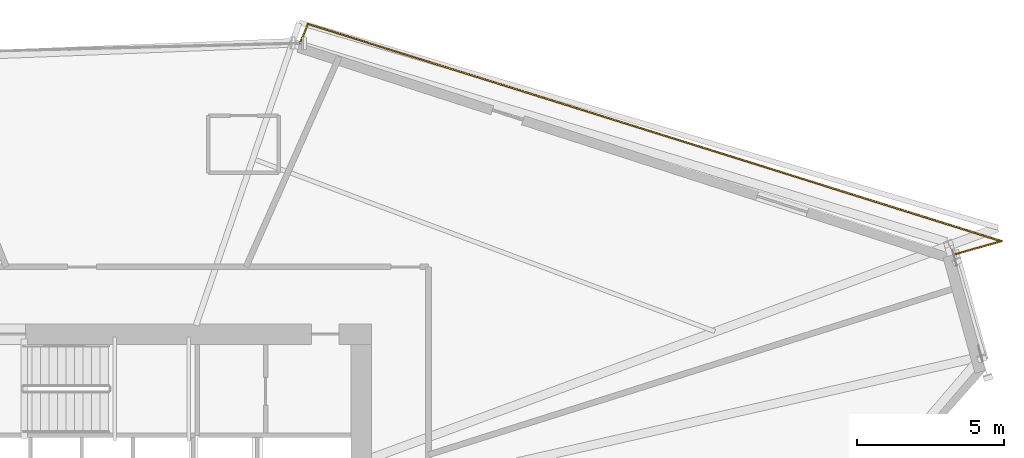
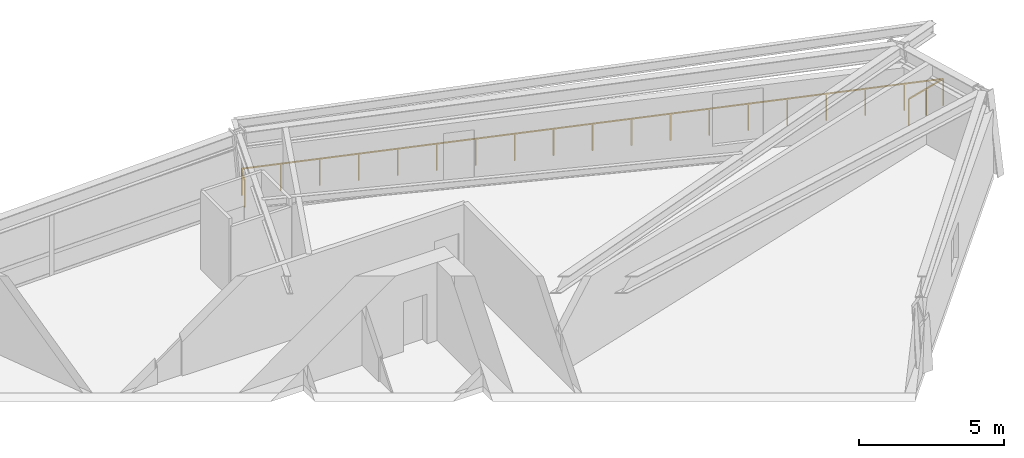
# One storey, part 20 of 20: 1 railing.
"""IFC4 building model written with IfcOpenShell, lengths in metres."""

from ifc_helpers import new_model, si_unit, direction, frame, origin, origin_2d, place, context, subcontext, project, spatial, rectangle, extrude, material, type_object, element, save


model = new_model("IFC4")

# Units and contexts
model_context = context("Model", 3, precision=1e-05, world=origin(), true_north=direction((0.0, 1.0)))
body_context = subcontext(model_context, "Body", "Model", "MODEL_VIEW")
ifc_project = project(units=[si_unit("LENGTHUNIT", "METRE"), si_unit("AREAUNIT", "SQUARE_METRE"), si_unit("VOLUMEUNIT", "CUBIC_METRE"), si_unit("PLANEANGLEUNIT", "RADIAN"), si_unit("MASSUNIT", "GRAM", prefix="KILO")], contexts=[model_context])

# Site, building, storey
site_placement = place(None, origin())
site = spatial("IfcSite", under=ifc_project, at=site_placement, CompositionType="ELEMENT")
building_placement = place(site_placement, origin())
building = spatial("IfcBuilding", under=site, at=building_placement, Name="Olszyna Solenne Hotel", CompositionType="ELEMENT")
storey_placement = place(building_placement, frame((0.0, 0.0, 98.60009765625)))
storey = spatial("IfcBuildingStorey", under=building, at=storey_placement, Name="L25", CompositionType="ELEMENT", Elevation=98.60009765625)

# Railing
ifc_material = material(Name="Anodised bronze aluminium", Category="aluminium")
railing_type = type_object("IfcRailingType", Name="GR-110", PredefinedType="BALUSTRADE", material=ifc_material)
railing_placement = place(storey_placement, frame((66.4697265625, 36.763916015625, 0.0)))
element("IfcRailing", 1, at=railing_placement, inside=storey, type_object=railing_type, Name="Loggia balcony balustrade guard GR-L25-LG1", PredefinedType="BALUSTRADE", context=body_context, shape_type="SweptSolid", body=[
    extrude(rectangle(XDim=0.048095703125, YDim=0.048095703125, at=origin_2d()), frame((0.0, 0.0, 1.1259765625), z_axis=(0.962583921803, 0.270983751333, 0.0), x_axis=(-0.270983751333, 0.962583921803, 0.0)), (0.0, 0.0, 1.0), 1.69189453125),
    extrude(rectangle(XDim=0.048095703125, YDim=0.048095703125, at=origin_2d()), frame((1.628662109375, 0.45849609375, 1.1259765625), z_axis=(-0.954278321848, 0.298919528388, 0.0), x_axis=(-0.298919528388, -0.954278321848, 0.0)), (0.0, 0.0, 1.0), 24.800537109375),
    extrude(rectangle(XDim=0.048095703125, YDim=0.048095703125, at=origin_2d()), frame((-22.037841796875, 7.871826171875, 1.1259765625), z_axis=(-0.383466313223, -0.923554863894, 0.0), x_axis=(0.923554863894, -0.383466313223, 0.0)), (0.0, 0.0, 1.0), 0.709228515625),
    extrude(rectangle(XDim=0.0419921875, YDim=0.0419921875, at=origin_2d()), origin(), (0.0, 0.0, 1.0), 1.101806640625),
    extrude(rectangle(XDim=0.0419921875, YDim=0.0419921875, at=origin_2d()), frame((0.814453125, 0.229248046875, 0.0)), (0.0, 0.0, 1.0), 1.101806640625),
    extrude(rectangle(XDim=0.0419921875, YDim=0.0419921875, at=origin_2d()), frame((1.628662109375, 0.45849609375, 0.0)), (0.0, 0.0, 1.0), 1.101806640625),
    extrude(rectangle(XDim=0.0419921875, YDim=0.0419921875, at=origin_2d()), frame((0.31396484375, 0.870361328125, 0.0)), (0.0, 0.0, 1.0), 1.101806640625),
    extrude(rectangle(XDim=0.0419921875, YDim=0.0419921875, at=origin_2d()), frame((-1.0009765625, 1.2822265625, 0.0)), (0.0, 0.0, 1.0), 1.101806640625),
    extrude(rectangle(XDim=0.0419921875, YDim=0.0419921875, at=origin_2d()), frame((-2.315673828125, 1.694091796875, 0.0)), (0.0, 0.0, 1.0), 1.101806640625),
    extrude(rectangle(XDim=0.0419921875, YDim=0.0419921875, at=origin_2d()), frame((-3.630615234375, 2.10595703125, 0.0)), (0.0, 0.0, 1.0), 1.101806640625),
    extrude(rectangle(XDim=0.0419921875, YDim=0.0419921875, at=origin_2d()), frame((-4.9453125, 2.517822265625, 0.0)), (0.0, 0.0, 1.0), 1.101806640625),
    extrude(rectangle(XDim=0.0419921875, YDim=0.0419921875, at=origin_2d()), frame((-6.26025390625, 2.9296875, 0.0)), (0.0, 0.0, 1.0), 1.101806640625),
    extrude(rectangle(XDim=0.0419921875, YDim=0.0419921875, at=origin_2d()), frame((-7.574951171875, 3.341552734375, 0.0)), (0.0, 0.0, 1.0), 1.101806640625),
    extrude(rectangle(XDim=0.0419921875, YDim=0.0419921875, at=origin_2d()), frame((-8.889892578125, 3.75341796875, 0.0)), (0.0, 0.0, 1.0), 1.101806640625),
    extrude(rectangle(XDim=0.0419921875, YDim=0.0419921875, at=origin_2d()), frame((-10.20458984375, 4.1650390625, 0.0)), (0.0, 0.0, 1.0), 1.101806640625),
    extrude(rectangle(XDim=0.0419921875, YDim=0.0419921875, at=origin_2d()), frame((-11.519287109375, 4.576904296875, 0.0)), (0.0, 0.0, 1.0), 1.101806640625),
    extrude(rectangle(XDim=0.0419921875, YDim=0.0419921875, at=origin_2d()), frame((-12.834228515625, 4.98876953125, 0.0)), (0.0, 0.0, 1.0), 1.101806640625),
    extrude(rectangle(XDim=0.0419921875, YDim=0.0419921875, at=origin_2d()), frame((-14.14892578125, 5.400634765625, 0.0)), (0.0, 0.0, 1.0), 1.101806640625),
    extrude(rectangle(XDim=0.0419921875, YDim=0.0419921875, at=origin_2d()), frame((-15.4638671875, 5.8125, 0.0)), (0.0, 0.0, 1.0), 1.101806640625),
    extrude(rectangle(XDim=0.0419921875, YDim=0.0419921875, at=origin_2d()), frame((-16.778564453125, 6.224365234375, 0.0)), (0.0, 0.0, 1.0), 1.101806640625),
    extrude(rectangle(XDim=0.0419921875, YDim=0.0419921875, at=origin_2d()), frame((-18.093505859375, 6.63623046875, 0.0)), (0.0, 0.0, 1.0), 1.101806640625),
    extrude(rectangle(XDim=0.0419921875, YDim=0.0419921875, at=origin_2d()), frame((-19.408203125, 7.048095703125, 0.0)), (0.0, 0.0, 1.0), 1.101806640625),
    extrude(rectangle(XDim=0.0419921875, YDim=0.0419921875, at=origin_2d()), frame((-20.72314453125, 7.4599609375, 0.0)), (0.0, 0.0, 1.0), 1.101806640625),
    extrude(rectangle(XDim=0.0419921875, YDim=0.0419921875, at=origin_2d()), frame((-22.037841796875, 7.871826171875, 0.0)), (0.0, 0.0, 1.0), 1.101806640625),
    extrude(rectangle(XDim=0.0419921875, YDim=0.0419921875, at=origin_2d()), frame((-22.309814453125, 7.216796875, 0.0)), (0.0, 0.0, 1.0), 1.101806640625),
])

save(model, "model.ifc")
